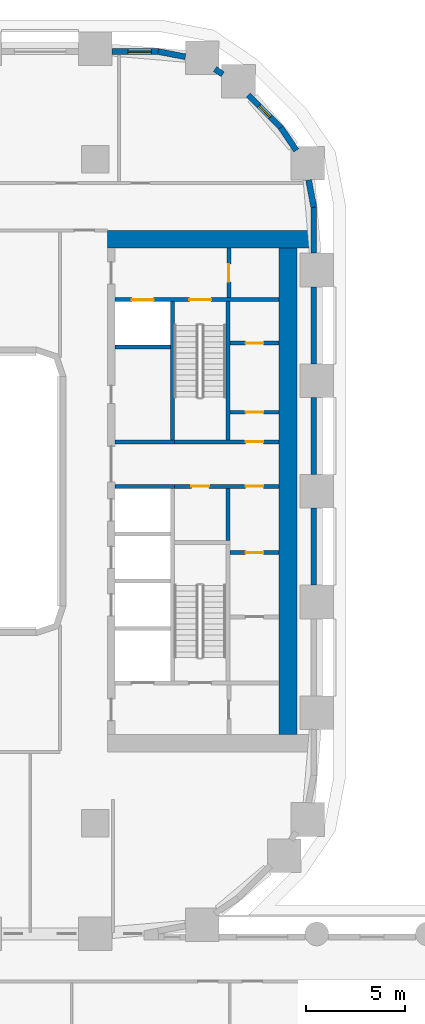
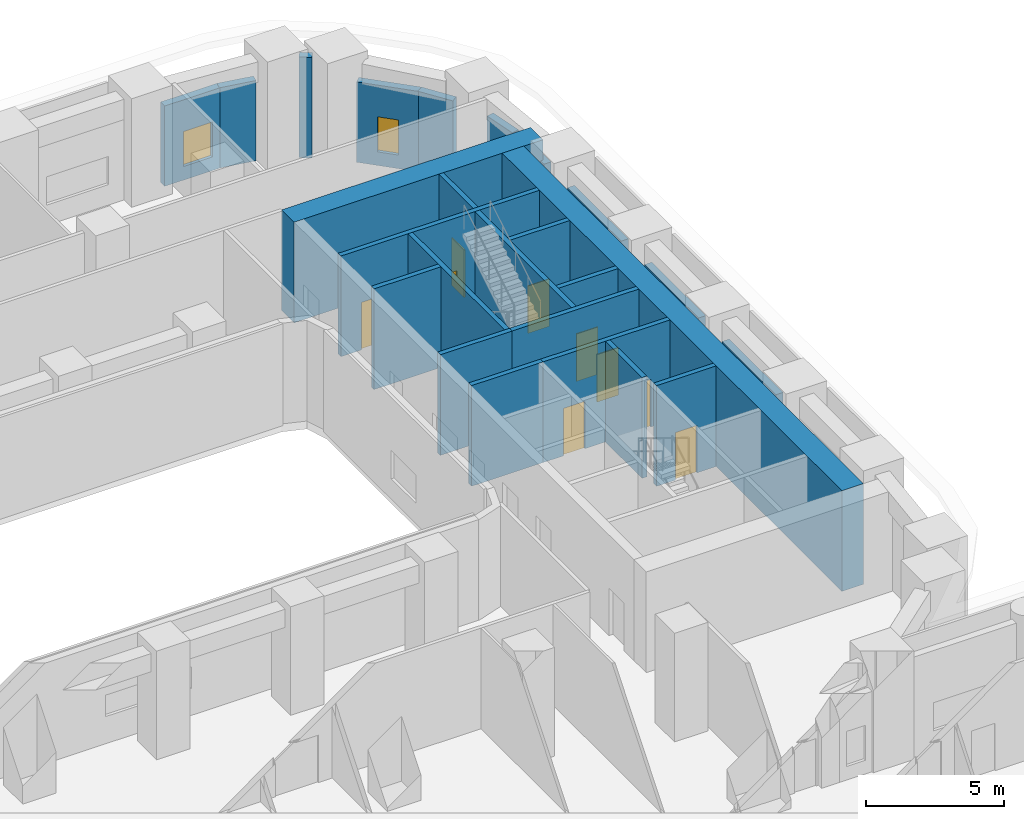
# One storey, part 14 of 24: 25 walls, 9 doors, 2 windows, 11 openings.
"""IFC4 building model written with IfcOpenShell, lengths in metres."""

from ifc_helpers import new_model, si_unit, direction, frame, frame_2d, origin, place, context, subcontext, project, spatial, rectangle, extrude, material, layer, layer_set, type_object, element, fill, save


model = new_model("IFC4")

# Units and contexts
model_context = context("Model", 3, precision=1e-05, world=origin(), true_north=direction((0.0, 1.0)))
body_context = subcontext(model_context, "Body", "Model", "MODEL_VIEW")
ifc_project = project(units=[si_unit("LENGTHUNIT", "METRE"), si_unit("AREAUNIT", "SQUARE_METRE"), si_unit("VOLUMEUNIT", "CUBIC_METRE"), si_unit("PLANEANGLEUNIT", "RADIAN"), si_unit("MASSUNIT", "GRAM", prefix="KILO")], contexts=[model_context])

# Site, building, storey
site_placement = place(None, origin())
site = spatial("IfcSite", under=ifc_project, at=site_placement, CompositionType="ELEMENT")
building_placement = place(site_placement, origin())
building = spatial("IfcBuilding", under=site, at=building_placement, Name="Kiln Ring Residences", CompositionType="ELEMENT")
storey_placement = place(building_placement, frame((0.0, 0.0, 11.300048828125)))
storey = spatial("IfcBuildingStorey", under=building, at=storey_placement, Name="L02", CompositionType="ELEMENT", Elevation=11.300048828125)

# Wall
ifc_material_1 = material(Name="Gypsum board on steel studs", Category="steel")
ifc_layer_1 = layer(ifc_material_1, 0.199951171875)
ifc_layer_set_1 = layer_set([ifc_layer_1], Name="CORE-PARTITION-200")
wall_type_1 = type_object("IfcWallType", Name="CORE-PARTITION-200", PredefinedType="PARTITIONING", material=ifc_layer_set_1)
wall_1_placement = place(storey_placement, frame((23.5, -2.5, 0.0), z_axis=(0.0, 0.0, 1.0), x_axis=(0.0, 1.0, 0.0)))
element("IfcWall", 1, at=wall_1_placement, inside=storey, type_object=wall_type_1, Name="Core partition east L02 1", PredefinedType="PARTITIONING", context=body_context, shape_type="SweptSolid", body=[
    extrude(rectangle(XDim=2.64990234375, YDim=0.199951171875, at=frame_2d((1.324951171875, 0.0))), origin(), (0.0, 0.0, 1.0), 4.449951171875),
])

# Wall, openings, doors
wall_2_placement = place(storey_placement, frame((20.800048828125, 0.25, 0.0), z_axis=(0.0, 0.0, 1.0), x_axis=(1.0, 0.0, 0.0)))
wall_2 = element("IfcWall", 2, at=wall_2_placement, inside=storey, type_object=wall_type_1, Name="Core partition east L02 2", PredefinedType="PARTITIONING", context=body_context, shape_type="SweptSolid", body=[
    extrude(rectangle(XDim=5.300048828125, YDim=0.199951171875, at=frame_2d((2.64990234375, 0.0))), origin(), (0.0, 0.0, 1.0), 4.449951171875),
])
opening_1_placement = place(wall_2_placement, frame((0.85009765625, 0.0, 0.0)))
opening_1 = element("IfcOpeningElement", 3, at=opening_1_placement, cuts=wall_2, Name="Opening L02-CE14", PredefinedType="OPENING", context=body_context, shape_type="SweptSolid", body=[
    extrude(rectangle(XDim=0.89990234375, YDim=2.10009765625, at=frame_2d((0.449951171875, 1.050048828125))), frame((0.0, 0.10986328125, 0.0), z_axis=(0.0, -1.0, 0.0), x_axis=(1.0, 0.0, 0.0)), (0.0, 0.0, 1.0), 0.219970703125),
])
opening_2_placement = place(wall_2_placement, frame((3.60009765625, 0.0, 0.0)))
opening_2 = element("IfcOpeningElement", 4, at=opening_2_placement, cuts=wall_2, Name="Opening L02-CE17", PredefinedType="OPENING", context=body_context, shape_type="SweptSolid", body=[
    extrude(rectangle(XDim=0.89990234375, YDim=2.10009765625, at=frame_2d((0.449951171875, 1.050048828125))), frame((0.0, 0.10986328125, 0.0), z_axis=(0.0, -1.0, 0.0), x_axis=(1.0, 0.0, 0.0)), (0.0, 0.0, 1.0), 0.219970703125),
])
ifc_material_2 = material(Name="Steel door leaf", Category="steel")
door_type_1 = type_object("IfcDoorType", Name="CORE-DOOR-ROOM", OperationType="SINGLE_SWING_LEFT", PredefinedType="DOOR", material=ifc_material_2)
door_1_placement = place(opening_1_placement, origin())
door_1 = element("IfcDoor", 5, at=door_1_placement, inside=storey, type_object=door_type_1, Name="Electrical riser room L02-CE14", OperationType="SINGLE_SWING_LEFT", OverallHeight=2.10009765625, OverallWidth=0.89990234375, PredefinedType="DOOR", context=body_context, shape_type="SweptSolid", body=[
    extrude(rectangle(XDim=0.89990234375, YDim=2.10009765625, at=frame_2d((0.449951171875, 1.050048828125))), frame((0.0, 0.02490234375, 0.0), z_axis=(0.0, -1.0, 0.0), x_axis=(1.0, 0.0, 0.0)), (0.0, 0.0, 1.0), 0.050048828125),
])
fill(opening_1, door_1)
door_2_placement = place(opening_2_placement, origin())
door_2 = element("IfcDoor", 6, at=door_2_placement, inside=storey, type_object=door_type_1, Name="Plant room L02-CE17", OperationType="SINGLE_SWING_RIGHT", OverallHeight=2.10009765625, OverallWidth=0.89990234375, PredefinedType="DOOR", context=body_context, shape_type="SweptSolid", body=[
    extrude(rectangle(XDim=0.89990234375, YDim=2.10009765625, at=frame_2d((0.449951171875, 1.050048828125))), frame((0.0, 0.02490234375, 0.0), z_axis=(0.0, -1.0, 0.0), x_axis=(1.0, 0.0, 0.0)), (0.0, 0.0, 1.0), 0.050048828125),
])
fill(opening_2, door_2)

# Wall, opening, door
wall_3_placement = place(storey_placement, frame((23.550048828125, 9.800048828125, 0.0), z_axis=(0.0, 0.0, 1.0), x_axis=(0.0, 1.0, 0.0)))
wall_3 = element("IfcWall", 7, at=wall_3_placement, inside=storey, type_object=wall_type_1, Name="Core partition east L02 3", PredefinedType="PARTITIONING", context=body_context, shape_type="SweptSolid", body=[
    extrude(rectangle(XDim=2.5, YDim=0.199951171875, at=frame_2d((1.25, 0.0))), origin(), (0.0, 0.0, 1.0), 4.449951171875),
])
opening_3_placement = place(wall_3_placement, frame((0.800048828125, 0.0, 0.0)))
opening_3 = element("IfcOpeningElement", 8, at=opening_3_placement, cuts=wall_3, Name="Opening L02-CE09", PredefinedType="OPENING", context=body_context, shape_type="SweptSolid", body=[
    extrude(rectangle(XDim=0.89990234375, YDim=2.10009765625, at=frame_2d((0.449951171875, 1.050048828125))), frame((0.0, 0.10986328125, 0.0), z_axis=(0.0, -1.0, 0.0), x_axis=(1.0, 0.0, 0.0)), (0.0, 0.0, 1.0), 0.219970703125),
])
door_3_placement = place(opening_3_placement, origin())
door_3 = element("IfcDoor", 9, at=door_3_placement, inside=storey, type_object=door_type_1, Name="Fire riser room L02-CE09", OperationType="SINGLE_SWING_RIGHT", OverallHeight=2.10009765625, OverallWidth=0.89990234375, PredefinedType="DOOR", context=body_context, shape_type="SweptSolid", body=[
    extrude(rectangle(XDim=0.89990234375, YDim=2.10009765625, at=frame_2d((0.449951171875, 1.050048828125))), frame((0.0, 0.02490234375, 0.0), z_axis=(0.0, -1.0, 0.0), x_axis=(1.0, 0.0, 0.0)), (0.0, 0.0, 1.0), 0.050048828125),
])
fill(opening_3, door_3)

wall_4_placement = place(storey_placement, frame((23.60009765625, -3.10009765625, 0.0), z_axis=(0.0, 0.0, 1.0), x_axis=(1.0, 0.0, 0.0)))
wall_4 = element("IfcWall", 10, at=wall_4_placement, inside=storey, type_object=wall_type_1, Name="Core partition east L02 6", PredefinedType="PARTITIONING", context=body_context, shape_type="SweptSolid", body=[
    extrude(rectangle(XDim=2.5, YDim=0.199951171875, at=frame_2d((1.25, 0.0))), origin(), (0.0, 0.0, 1.0), 4.449951171875),
])
opening_4_placement = place(wall_4_placement, frame((0.800048828125, 0.0, 0.0)))
opening_4 = element("IfcOpeningElement", 11, at=opening_4_placement, cuts=wall_4, Name="Opening L02-CE16", PredefinedType="OPENING", context=body_context, shape_type="SweptSolid", body=[
    extrude(rectangle(XDim=0.89990234375, YDim=2.10009765625, at=frame_2d((0.449951171875, 1.050048828125))), frame((0.0, 0.10986328125, 0.0), z_axis=(0.0, -1.0, 0.0), x_axis=(1.0, 0.0, 0.0)), (0.0, 0.0, 1.0), 0.219970703125),
])
door_4_placement = place(opening_4_placement, origin())
door_4 = element("IfcDoor", 12, at=door_4_placement, inside=storey, type_object=door_type_1, Name="Plant room L02-CE16", OperationType="SINGLE_SWING_RIGHT", OverallHeight=2.10009765625, OverallWidth=0.89990234375, PredefinedType="DOOR", context=body_context, shape_type="SweptSolid", body=[
    extrude(rectangle(XDim=0.89990234375, YDim=2.10009765625, at=frame_2d((0.449951171875, 1.050048828125))), frame((0.0, 0.02490234375, 0.0), z_axis=(0.0, -1.0, 0.0), x_axis=(1.0, 0.0, 0.0)), (0.0, 0.0, 1.0), 0.050048828125),
])
fill(opening_4, door_4)

wall_5_placement = place(storey_placement, frame((23.60009765625, 4.0, 0.0), z_axis=(0.0, 0.0, 1.0), x_axis=(1.0, 0.0, 0.0)))
wall_5 = element("IfcWall", 13, at=wall_5_placement, inside=storey, type_object=wall_type_1, Name="Core partition east L02 7", PredefinedType="PARTITIONING", context=body_context, shape_type="SweptSolid", body=[
    extrude(rectangle(XDim=2.5, YDim=0.199951171875, at=frame_2d((1.25, 0.0))), origin(), (0.0, 0.0, 1.0), 4.449951171875),
])
opening_5_placement = place(wall_5_placement, frame((0.800048828125, 0.0, 0.0)))
opening_5 = element("IfcOpeningElement", 14, at=opening_5_placement, cuts=wall_5, Name="Opening L02-CE18", PredefinedType="OPENING", context=body_context, shape_type="SweptSolid", body=[
    extrude(rectangle(XDim=0.89990234375, YDim=2.10009765625, at=frame_2d((0.449951171875, 1.050048828125))), frame((0.0, 0.10986328125, 0.0), z_axis=(0.0, -1.0, 0.0), x_axis=(1.0, 0.0, 0.0)), (0.0, 0.0, 1.0), 0.219970703125),
])
door_5_placement = place(opening_5_placement, origin())
door_5 = element("IfcDoor", 15, at=door_5_placement, inside=storey, type_object=door_type_1, Name="Electrical plant room L02-CE18", OperationType="SINGLE_SWING_RIGHT", OverallHeight=2.10009765625, OverallWidth=0.89990234375, PredefinedType="DOOR", context=body_context, shape_type="SweptSolid", body=[
    extrude(rectangle(XDim=0.89990234375, YDim=2.10009765625, at=frame_2d((0.449951171875, 1.050048828125))), frame((0.0, 0.02490234375, 0.0), z_axis=(0.0, -1.0, 0.0), x_axis=(1.0, 0.0, 0.0)), (0.0, 0.0, 1.0), 0.050048828125),
])
fill(opening_5, door_5)

wall_6_placement = place(storey_placement, frame((23.60009765625, 7.5, 0.0), z_axis=(0.0, 0.0, 1.0), x_axis=(1.0, 0.0, 0.0)))
wall_6 = element("IfcWall", 16, at=wall_6_placement, inside=storey, type_object=wall_type_1, Name="Core partition east L02 8", PredefinedType="PARTITIONING", context=body_context, shape_type="SweptSolid", body=[
    extrude(rectangle(XDim=2.5, YDim=0.199951171875, at=frame_2d((1.25, 0.0))), origin(), (0.0, 0.0, 1.0), 4.449951171875),
])
opening_6_placement = place(wall_6_placement, frame((0.800048828125, 0.0, 0.0)))
opening_6 = element("IfcOpeningElement", 17, at=opening_6_placement, cuts=wall_6, Name="Opening L02-CE19", PredefinedType="OPENING", context=body_context, shape_type="SweptSolid", body=[
    extrude(rectangle(XDim=0.89990234375, YDim=2.10009765625, at=frame_2d((0.449951171875, 1.050048828125))), frame((0.0, 0.10986328125, 0.0), z_axis=(0.0, -1.0, 0.0), x_axis=(1.0, 0.0, 0.0)), (0.0, 0.0, 1.0), 0.219970703125),
])
door_6_placement = place(opening_6_placement, origin())
door_6 = element("IfcDoor", 18, at=door_6_placement, inside=storey, type_object=door_type_1, Name="UPS room L02-CE19", OperationType="SINGLE_SWING_LEFT", OverallHeight=2.10009765625, OverallWidth=0.89990234375, PredefinedType="DOOR", context=body_context, shape_type="SweptSolid", body=[
    extrude(rectangle(XDim=0.89990234375, YDim=2.10009765625, at=frame_2d((0.449951171875, 1.050048828125))), frame((0.0, 0.02490234375, 0.0), z_axis=(0.0, -1.0, 0.0), x_axis=(1.0, 0.0, 0.0)), (0.0, 0.0, 1.0), 0.050048828125),
])
fill(opening_6, door_6)

# Walls
ifc_material_3 = material(Name="Gypsum shaft wall system")
ifc_layer_2 = layer(ifc_material_3, 0.199951171875)
ifc_layer_set_2 = layer_set([ifc_layer_2], Name="CORE-SHAFT-WALL-200")
wall_type_2 = type_object("IfcWallType", Name="CORE-SHAFT-WALL-200", PredefinedType="PARTITIONING", material=ifc_layer_set_2)
for number, where, z_axis, x_axis, name in (
    (19, (17.800048828125, 0.25, 0.0), (0.0, 0.0, 1.0), (1.0, 0.0, 0.0), "Core partition east L02 12"),
    (20, (17.800048828125, 2.5, 0.0), (0.0, 0.0, 1.0), (1.0, 0.0, 0.0), "Core partition east L02 13"),
):
    element("IfcWall", number, at=place(storey_placement, frame(where, z_axis=z_axis, x_axis=x_axis)), inside=storey, type_object=wall_type_2, Name=name, PredefinedType="PARTITIONING", context=body_context, shape_type="SweptSolid", body=[
        extrude(rectangle(XDim=3.0, YDim=0.199951171875, at=frame_2d((1.5, 0.0))), origin(), (0.0, 0.0, 1.0), 4.449951171875),
    ])
wall_7_placement = place(storey_placement, frame((17.800048828125, 7.300048828125, 0.0), z_axis=(0.0, 0.0, 1.0), x_axis=(1.0, 0.0, 0.0)))
element("IfcWall", 21, at=wall_7_placement, inside=storey, type_object=wall_type_2, Name="Core partition east L02 14", PredefinedType="PARTITIONING", context=body_context, shape_type="SweptSolid", body=[
    extrude(rectangle(XDim=2.800048828125, YDim=0.199951171875, at=frame_2d((1.39990234375, 0.0))), origin(), (0.0, 0.0, 1.0), 4.449951171875),
])
ifc_material_4 = material(Name="Concrete C40/50", Category="concrete")
ifc_layer_3 = layer(ifc_material_4, 0.199951171875)
ifc_layer_set_3 = layer_set([ifc_layer_3], Name="CORE-WALL-RC200")
wall_type_3 = type_object("IfcWallType", Name="CORE-WALL-RC200", PredefinedType="SHEAR", material=ifc_layer_set_3)
wall_8_placement = place(storey_placement, frame((20.699951171875, 2.60009765625, 0.0), z_axis=(0.0, 0.0, 1.0), x_axis=(0.0, 1.0, 0.0)))
element("IfcWall", 22, at=wall_8_placement, inside=storey, type_object=wall_type_3, Name="Core wall east L02 1", PredefinedType="SHEAR", context=body_context, shape_type="SweptSolid", body=[
    extrude(rectangle(XDim=7.0, YDim=0.199951171875, at=frame_2d((3.5, 0.0))), origin(), (0.0, 0.0, 1.0), 4.449951171875),
])

# Wall, opening, door
wall_9_placement = place(storey_placement, frame((20.800048828125, 2.5, 0.0), z_axis=(0.0, 0.0, 1.0), x_axis=(1.0, 0.0, 0.0)))
wall_9 = element("IfcWall", 23, at=wall_9_placement, inside=storey, type_object=wall_type_3, Name="Core wall east L02 3", PredefinedType="SHEAR", context=body_context, shape_type="SweptSolid", body=[
    extrude(rectangle(XDim=5.300048828125, YDim=0.199951171875, at=frame_2d((2.64990234375, 0.0))), origin(), (0.0, 0.0, 1.0), 4.449951171875),
])
opening_7_placement = place(wall_9_placement, frame((3.60009765625, 0.0, 0.0)))
opening_7 = element("IfcOpeningElement", 24, at=opening_7_placement, cuts=wall_9, Name="Opening L02-CE20", PredefinedType="OPENING", context=body_context, shape_type="SweptSolid", body=[
    extrude(rectangle(XDim=0.89990234375, YDim=2.10009765625, at=frame_2d((0.449951171875, 1.050048828125))), frame((0.0, 0.10986328125, 0.0), z_axis=(0.0, -1.0, 0.0), x_axis=(1.0, 0.0, 0.0)), (0.0, 0.0, 1.0), 0.219970703125),
])
door_7_placement = place(opening_7_placement, origin())
door_7 = element("IfcDoor", 25, at=door_7_placement, inside=storey, type_object=door_type_1, Name="Comms room L02-CE20", OperationType="SINGLE_SWING_RIGHT", OverallHeight=2.10009765625, OverallWidth=0.89990234375, PredefinedType="DOOR", context=body_context, shape_type="SweptSolid", body=[
    extrude(rectangle(XDim=0.89990234375, YDim=2.10009765625, at=frame_2d((0.449951171875, 1.050048828125))), frame((0.0, 0.02490234375, 0.0), z_axis=(0.0, -1.0, 0.0), x_axis=(1.0, 0.0, 0.0)), (0.0, 0.0, 1.0), 0.050048828125),
])
fill(opening_7, door_7)

# Wall, openings, doors
wall_10_placement = place(storey_placement, frame((17.800048828125, 9.699951171875, 0.0), z_axis=(0.0, 0.0, 1.0), x_axis=(1.0, 0.0, 0.0)))
wall_10 = element("IfcWall", 26, at=wall_10_placement, inside=storey, type_object=wall_type_3, Name="Core wall east L02 9", PredefinedType="SHEAR", context=body_context, shape_type="SweptSolid", body=[
    extrude(rectangle(XDim=8.300048828125, YDim=0.199951171875, at=frame_2d((4.14990234375, 0.0))), origin(), (0.0, 0.0, 1.0), 4.449951171875),
])
opening_8_placement = place(wall_10_placement, frame((0.85009765625, 0.0, 0.0)))
opening_8 = element("IfcOpeningElement", 27, at=opening_8_placement, cuts=wall_10, Name="Opening L02-CE06", PredefinedType="OPENING", context=body_context, shape_type="SweptSolid", body=[
    extrude(rectangle(XDim=1.10009765625, YDim=2.10009765625, at=frame_2d((0.550048828125, 1.050048828125))), frame((0.0, 0.10986328125, 0.0), z_axis=(0.0, -1.0, 0.0), x_axis=(1.0, 0.0, 0.0)), (0.0, 0.0, 1.0), 0.219970703125),
])
opening_9_placement = place(wall_10_placement, frame((3.75, 0.0, 0.0)))
opening_9 = element("IfcOpeningElement", 28, at=opening_9_placement, cuts=wall_10, Name="Opening L02-CE11", PredefinedType="OPENING", context=body_context, shape_type="SweptSolid", body=[
    extrude(rectangle(XDim=1.10009765625, YDim=2.10009765625, at=frame_2d((0.550048828125, 1.050048828125))), frame((0.0, 0.10986328125, 0.0), z_axis=(0.0, -1.0, 0.0), x_axis=(1.0, 0.0, 0.0)), (0.0, 0.0, 1.0), 0.219970703125),
])
ifc_material_5 = material(Name="Steel door leaf", Category="steel")
door_type_2 = type_object("IfcDoorType", Name="CORE-DOOR-LD", OperationType="DOUBLE_DOOR_SLIDING", PredefinedType="DOOR", material=ifc_material_5)
door_8_placement = place(opening_8_placement, origin())
door_8 = element("IfcDoor", 29, at=door_8_placement, inside=storey, type_object=door_type_2, Name="LD E-FF L02-CE06", OperationType="DOUBLE_DOOR_SLIDING", OverallHeight=2.10009765625, OverallWidth=1.10009765625, PredefinedType="DOOR", context=body_context, shape_type="SweptSolid", body=[
    extrude(rectangle(XDim=1.10009765625, YDim=2.10009765625, at=frame_2d((0.550048828125, 1.050048828125))), frame((0.0, 0.02490234375, 0.0), z_axis=(0.0, -1.0, 0.0), x_axis=(1.0, 0.0, 0.0)), (0.0, 0.0, 1.0), 0.050048828125),
])
fill(opening_8, door_8)
ifc_material_6 = material(Name="Steel door leaf", Category="steel")
door_type_3 = type_object("IfcDoorType", Name="CORE-DOOR-STAIR", OperationType="SINGLE_SWING_LEFT", PredefinedType="DOOR", material=ifc_material_6)
door_9_placement = place(opening_9_placement, origin())
door_9 = element("IfcDoor", 30, at=door_9_placement, inside=storey, type_object=door_type_3, Name="Stair E-STN L02-CE11", OperationType="SINGLE_SWING_RIGHT", OverallHeight=2.10009765625, OverallWidth=1.10009765625, PredefinedType="DOOR", context=body_context, shape_type="SweptSolid", body=[
    extrude(rectangle(XDim=1.10009765625, YDim=2.10009765625, at=frame_2d((0.550048828125, 1.050048828125))), frame((0.0, 0.02490234375, 0.0), z_axis=(0.0, -1.0, 0.0), x_axis=(1.0, 0.0, 0.0)), (0.0, 0.0, 1.0), 0.050048828125),
])
fill(opening_9, door_9)

# Walls
wall_11_placement = place(storey_placement, frame((23.5, 2.60009765625, 0.0), z_axis=(0.0, 0.0, 1.0), x_axis=(0.0, 1.0, 0.0)))
element("IfcWall", 31, at=wall_11_placement, inside=storey, type_object=wall_type_3, Name="Core wall east L02 10", PredefinedType="SHEAR", context=body_context, shape_type="SweptSolid", body=[
    extrude(rectangle(XDim=7.0, YDim=0.199951171875, at=frame_2d((3.5, 0.0))), origin(), (0.0, 0.0, 1.0), 4.449951171875),
])
ifc_material_7 = material(Name="Concrete C60/75", Category="concrete")
ifc_layer_4 = layer(ifc_material_7, 0.89990234375)
ifc_layer_set_4 = layer_set([ifc_layer_4], Name="CORE-WALL-RC900")
wall_type_4 = type_object("IfcWallType", Name="CORE-WALL-RC900", PredefinedType="SHEAR", material=ifc_layer_set_4)
wall_12_placement = place(storey_placement, frame((17.39990234375, 12.75, 0.0), z_axis=(0.0, 0.0, 1.0), x_axis=(1.0, 0.0, 0.0)))
element("IfcWall", 32, at=wall_12_placement, inside=storey, type_object=wall_type_4, Name="Core wall east L02 4", PredefinedType="SHEAR", context=body_context, shape_type="SweptSolid", body=[
    extrude(rectangle(XDim=10.400146484375, YDim=0.89990234375, at=frame_2d((5.2001953125, 0.0))), origin(), (0.0, 0.0, 1.0), 4.449951171875),
])
wall_13_placement = place(storey_placement, frame((26.550048828125, -12.300048828125, 0.0), z_axis=(0.0, 0.0, 1.0), x_axis=(0.0, 1.0, 0.0)))
element("IfcWall", 33, at=wall_13_placement, inside=storey, type_object=wall_type_4, Name="Core wall east L02 7", PredefinedType="SHEAR", context=body_context, shape_type="SweptSolid", body=[
    extrude(rectangle(XDim=24.60009765625, YDim=0.89990234375, at=frame_2d((12.300048828125, 0.0))), origin(), (0.0, 0.0, 1.0), 4.449951171875),
])
ifc_material_8 = material(Name="Brick masonry, dark clay brick", Category="masonry")
ifc_layer_5 = layer(ifc_material_8, 0.300048828125)
ifc_layer_set_5 = layer_set([ifc_layer_5], Name="EW-300 BRICK WALL")
wall_type_5 = type_object("IfcWallType", Name="EW-300 BRICK WALL", PredefinedType="SOLIDWALL", material=ifc_layer_set_5)
for number, where, z_axis, x_axis, name in (
    (34, (27.85009765625, -4.75, 0.0), (0.0, 0.0, 1.0), (0.0, 1.0, 0.0), "Facade wall L02 17"),
    (35, (27.85009765625, 0.85009765625, 0.0), (0.0, 0.0, 1.0), (0.0, 1.0, 0.0), "Facade wall L02 18"),
):
    element("IfcWall", number, at=place(storey_placement, frame(where, z_axis=z_axis, x_axis=x_axis)), inside=storey, type_object=wall_type_5, Name=name, PredefinedType="SOLIDWALL", context=body_context, shape_type="SweptSolid", body=[
        extrude(rectangle(XDim=3.89990234375, YDim=0.300048828125, at=frame_2d((1.949951171875, 0.0))), origin(), (0.0, 0.0, 1.0), 3.550048828125),
    ])
wall_14_placement = place(storey_placement, frame((27.85009765625, 6.449951171875, 0.0), z_axis=(0.0, 0.0, 1.0), x_axis=(0.0, 1.0, 0.0)))
element("IfcWall", 36, at=wall_14_placement, inside=storey, type_object=wall_type_5, Name="Facade wall L02 19", PredefinedType="SOLIDWALL", context=body_context, shape_type="SweptSolid", body=[
    extrude(rectangle(XDim=3.900146484375, YDim=0.300048828125, at=frame_2d((1.9501953125, 0.0))), origin(), (0.0, 0.0, 1.0), 3.550048828125),
])
wall_15_placement = place(storey_placement, frame((27.85009765625, 12.050048828125, 0.0), z_axis=(0.0, 0.0, 1.0), x_axis=(0.0, 1.0, 0.0)))
element("IfcWall", 37, at=wall_15_placement, inside=storey, type_object=wall_type_5, Name="Facade wall L02 20", PredefinedType="SOLIDWALL", context=body_context, shape_type="SweptSolid", body=[
    extrude(rectangle(XDim=2.349853515625, YDim=0.300048828125, at=frame_2d((1.1748046875, 0.0))), origin(), (0.0, 0.0, 1.0), 3.550048828125),
])
for number, where, z_axis, x_axis, name in (
    (38, (27.8525390625, 14.371826171875, 0.0), (0.0, 0.0, 1.0), (-0.187327504018, 0.982297514116, 0.0), "Facade wall L02 21"),
    (39, (26.96923828125, 17.249755859375, 0.0), (0.0, 0.0, 1.0), (-0.562010802008, 0.827129892112, 0.0), "Facade wall L02 22"),
):
    element("IfcWall", number, at=place(storey_placement, frame(where, z_axis=z_axis, x_axis=x_axis)), inside=storey, type_object=wall_type_5, Name=name, PredefinedType="SOLIDWALL", context=body_context, shape_type="SweptSolid", body=[
        extrude(rectangle(XDim=1.40625, YDim=0.300048828125, at=frame_2d((0.703125, 0.0))), origin(), (0.0, 0.0, 1.0), 3.550048828125),
    ])

# Wall, opening, window
wall_16_placement = place(storey_placement, frame((26.19677734375, 18.390869140625, 0.0), z_axis=(0.0, 0.0, 1.0), x_axis=(-0.707054835785, 0.707158722772, 0.0)))
wall_16 = element("IfcWall", 40, at=wall_16_placement, inside=storey, type_object=wall_type_5, Name="Facade wall L02 23", PredefinedType="SOLIDWALL", context=body_context, shape_type="SweptSolid", body=[
    extrude(rectangle(XDim=2.35009765625, YDim=0.300048828125, at=frame_2d((1.175048828125, 0.0))), origin(), (0.0, 0.0, 1.0), 3.550048828125),
])
opening_10_placement = place(wall_16_placement, frame((0.77490234375, 0.0, 0.60009765625)))
opening_10 = element("IfcOpeningElement", 41, at=opening_10_placement, cuts=wall_16, Name="Opening W5", PredefinedType="OPENING", context=body_context, shape_type="SweptSolid", body=[
    extrude(rectangle(XDim=0.800048828125, YDim=1.550048828125, at=frame_2d((0.39990234375, 0.77490234375))), frame((0.0, 0.159912109375, 0.0), z_axis=(0.0, -1.0, 0.0), x_axis=(1.0, 0.0, 0.0)), (0.0, 0.0, 1.0), 0.320068359375),
])
ifc_material_9 = material(Name="Aluminium frame with double glazing", Category="aluminium")
window_type_1 = type_object("IfcWindowType", Name="WINDOW 800 x 1550", PartitioningType="SINGLE_PANEL", PredefinedType="WINDOW", material=ifc_material_9)
window_1_placement = place(opening_10_placement, origin())
window_1 = element("IfcWindow", 42, at=window_1_placement, inside=storey, type_object=window_type_1, Name="Window L02 11", OverallHeight=1.550048828125, OverallWidth=0.800048828125, PartitioningType="SINGLE_PANEL", PredefinedType="WINDOW", context=body_context, shape_type="SweptSolid", body=[
    extrude(rectangle(XDim=0.800048828125, YDim=1.550048828125, at=frame_2d((0.39990234375, 0.77490234375))), frame((0.0, 0.030029296875, 0.0), z_axis=(0.0, -1.0, 0.0), x_axis=(1.0, 0.0, 0.0)), (0.0, 0.0, 1.0), 0.06005859375),
])
fill(opening_10, window_1)

# Walls
wall_17_placement = place(storey_placement, frame((23.244384765625, 21.10107421875, 0.0), z_axis=(0.0, 0.0, 1.0), x_axis=(-0.827135885329, 0.562001981492, 0.0)))
element("IfcWall", 43, at=wall_17_placement, inside=storey, type_object=wall_type_5, Name="Facade wall L02 24", PredefinedType="SOLIDWALL", context=body_context, shape_type="SweptSolid", body=[
    extrude(rectangle(XDim=0.47705078125, YDim=0.300048828125, at=frame_2d((0.238525390625, 0.0))), origin(), (0.0, 0.0, 1.0), 4.449951171875),
])
wall_18_placement = place(storey_placement, frame((21.35302734375, 21.9892578125, 0.0), z_axis=(0.0, 0.0, 1.0), x_axis=(-0.98229142023, 0.187359455971, 0.0)))
element("IfcWall", 44, at=wall_18_placement, inside=storey, type_object=wall_type_5, Name="Facade wall L02 25", PredefinedType="SOLIDWALL", context=body_context, shape_type="SweptSolid", body=[
    extrude(rectangle(XDim=1.406005859375, YDim=0.300048828125, at=frame_2d((0.703125, 0.0))), origin(), (0.0, 0.0, 1.0), 3.550048828125),
])

# Wall, opening, window
wall_19_placement = place(storey_placement, frame((20.0, 22.25, 0.0), z_axis=(0.0, 0.0, 1.0), x_axis=(-1.0, 0.0, 0.0)))
wall_19 = element("IfcWall", 45, at=wall_19_placement, inside=storey, type_object=wall_type_5, Name="Facade wall L02 26", PredefinedType="SOLIDWALL", context=body_context, shape_type="SweptSolid", body=[
    extrude(rectangle(XDim=2.35009765625, YDim=0.300048828125, at=frame_2d((1.175048828125, 0.0))), origin(), (0.0, 0.0, 1.0), 3.550048828125),
])
opening_11_placement = place(wall_19_placement, frame((0.362548828125, 0.0, 0.60009765625)))
opening_11 = element("IfcOpeningElement", 46, at=opening_11_placement, cuts=wall_19, Name="Opening W1", PredefinedType="OPENING", context=body_context, shape_type="SweptSolid", body=[
    extrude(rectangle(XDim=1.199951171875, YDim=1.550048828125, at=frame_2d((0.60009765625, 0.77490234375))), frame((0.0, 0.159912109375, 0.0), z_axis=(0.0, -1.0, 0.0), x_axis=(1.0, 0.0, 0.0)), (0.0, 0.0, 1.0), 0.320068359375),
])
ifc_material_10 = material(Name="Aluminium frame with double glazing", Category="aluminium")
window_type_2 = type_object("IfcWindowType", Name="WINDOW 1200 x 1550", PartitioningType="SINGLE_PANEL", PredefinedType="WINDOW", material=ifc_material_10)
window_2_placement = place(opening_11_placement, origin())
window_2 = element("IfcWindow", 47, at=window_2_placement, inside=storey, type_object=window_type_2, Name="Window L02 12", OverallHeight=1.550048828125, OverallWidth=1.199951171875, PartitioningType="SINGLE_PANEL", PredefinedType="WINDOW", context=body_context, shape_type="SweptSolid", body=[
    extrude(rectangle(XDim=1.199951171875, YDim=1.550048828125, at=frame_2d((0.60009765625, 0.77490234375))), frame((0.0, 0.030029296875, 0.0), z_axis=(0.0, -1.0, 0.0), x_axis=(1.0, 0.0, 0.0)), (0.0, 0.0, 1.0), 0.06005859375),
])
fill(opening_11, window_2)

save(model, "model.ifc")
